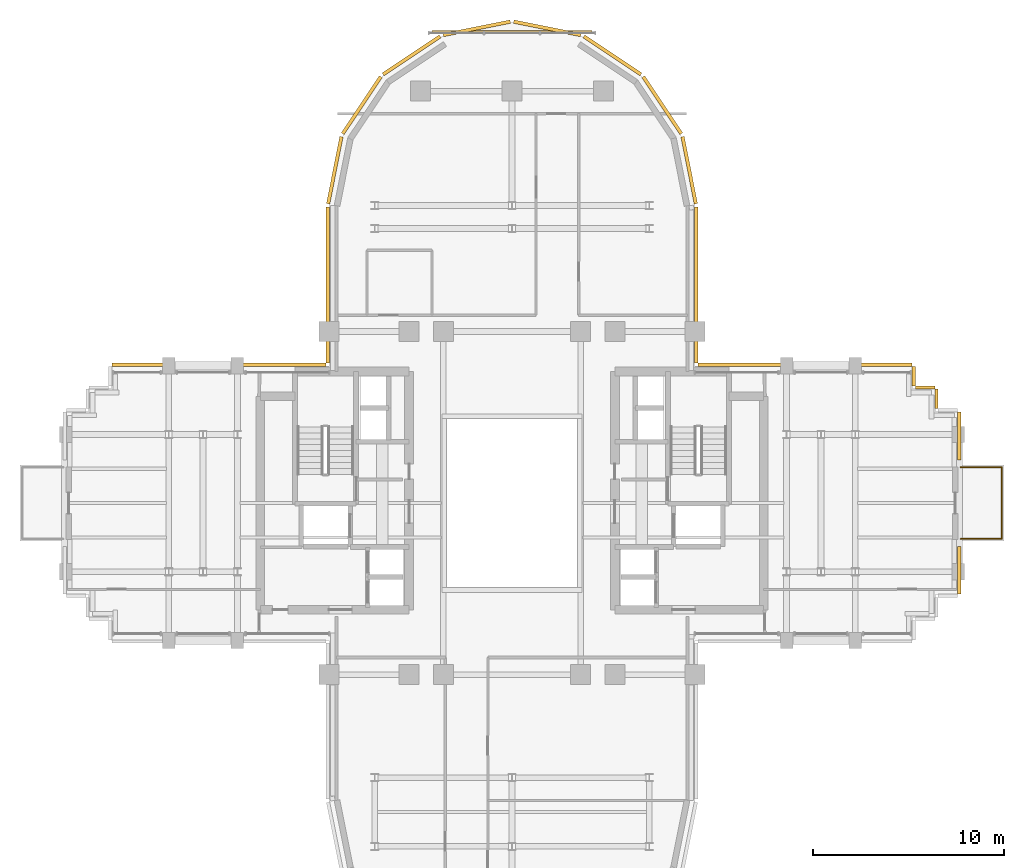
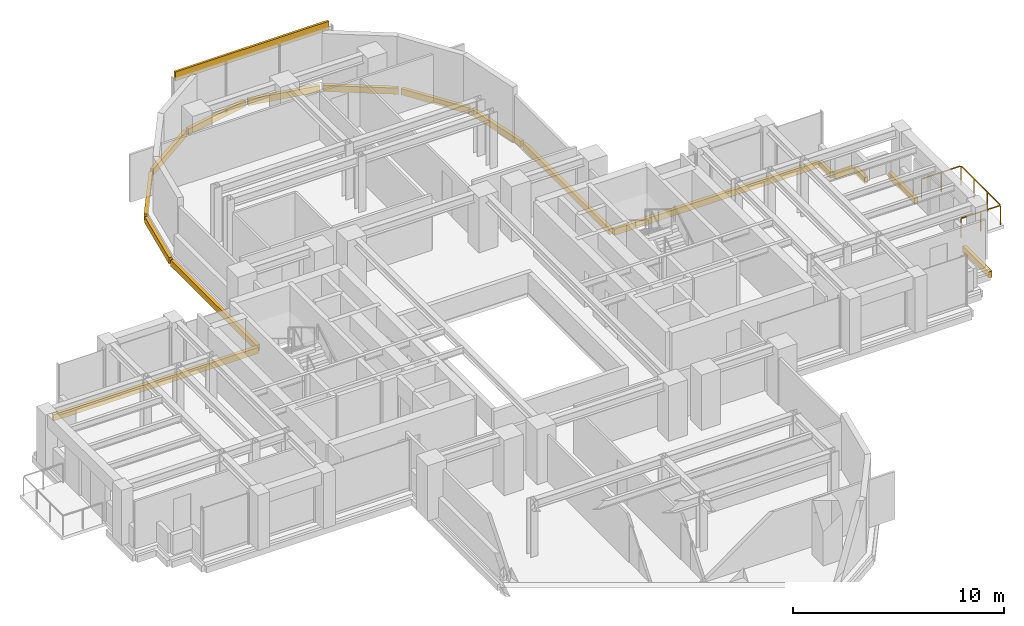
# One storey, part 13 of 13: 18 coverings, 1 railing.
"""IFC4 building model written with IfcOpenShell, lengths in metres."""

from ifc_helpers import new_model, si_unit, direction, frame, origin, origin_2d, place, context, subcontext, project, spatial, rectangle, extrude, source, transform, mapped, material, layer, layer_set, type_object, element, save


model = new_model("IFC4")

# Units and contexts
model_context = context("Model", 3, precision=1e-05, world=origin(), true_north=direction((0.0, 1.0)))
body_context = subcontext(model_context, "Body", "Model", "MODEL_VIEW")
ifc_project = project(units=[si_unit("LENGTHUNIT", "METRE"), si_unit("AREAUNIT", "SQUARE_METRE"), si_unit("VOLUMEUNIT", "CUBIC_METRE"), si_unit("PLANEANGLEUNIT", "RADIAN"), si_unit("MASSUNIT", "GRAM", prefix="KILO")], contexts=[model_context])

# Site, building, storey
site_placement = place(None, origin())
site = spatial("IfcSite", under=ifc_project, at=site_placement, CompositionType="ELEMENT")
building_placement = place(site_placement, origin())
building = spatial("IfcBuilding", under=site, at=building_placement, Name="Keilestroom Media Tower", CompositionType="ELEMENT")
storey_placement = place(building_placement, frame((0.0, 0.0, 104.0)))
storey = spatial("IfcBuildingStorey", under=building, at=storey_placement, Name="L27", CompositionType="ELEMENT", Elevation=104.0)

# Railing
ifc_material_1 = material(Name="Laminated Safety Glass & Stainless Steel", Category="steel")
railing_type = type_object("IfcRailingType", Name="Terrace-And-Atrium-Guard-Balustrade-GD-EXT", PredefinedType="BALUSTRADE", material=ifc_material_1)
railing_placement = place(storey_placement, frame((23.52001953125, -1.8798828125, 0.0)))
element("IfcRailing", 1, at=railing_placement, inside=storey, type_object=railing_type, Name="L27 Terrace Perimeter Guard L27-E", PredefinedType="BALUSTRADE", context=body_context, shape_type="SweptSolid", body=[
    extrude(rectangle(XDim=0.048095703125, YDim=0.048095703125, at=origin_2d()), frame((0.0, 0.0, 1.1259765625), z_axis=(1.0, 0.0, 0.0), x_axis=(0.0, 1.0, 0.0)), (0.0, 0.0, 1.0), 2.11181640625),
    extrude(rectangle(XDim=0.048095703125, YDim=0.048095703125, at=origin_2d()), frame((2.159912109375, 0.048095703125, 1.1259765625), z_axis=(0.0, 1.0, 0.0), x_axis=(-1.0, 0.0, 0.0)), (0.0, 0.0, 1.0), 3.66357421875),
    extrude(rectangle(XDim=0.048095703125, YDim=0.048095703125, at=origin_2d()), frame((2.11181640625, 3.759765625, 1.1259765625), z_axis=(-1.0, 0.0, 0.0), x_axis=(0.0, -1.0, 0.0)), (0.0, 0.0, 1.0), 2.11181640625),
    extrude(rectangle(XDim=0.0419921875, YDim=0.0419921875, at=origin_2d()), origin(), (0.0, 0.0, 1.0), 1.09375),
    extrude(rectangle(XDim=0.0419921875, YDim=0.0419921875, at=origin_2d()), frame((1.080078125, 0.0, 0.0)), (0.0, 0.0, 1.0), 1.09375),
    extrude(rectangle(XDim=0.0419921875, YDim=0.0419921875, at=origin_2d()), frame((2.159912109375, 0.0, 0.0)), (0.0, 0.0, 1.0), 1.09375),
    extrude(rectangle(XDim=0.0419921875, YDim=0.0419921875, at=origin_2d()), frame((2.159912109375, 1.253173828125, 0.0)), (0.0, 0.0, 1.0), 1.09375),
    extrude(rectangle(XDim=0.0419921875, YDim=0.0419921875, at=origin_2d()), frame((2.159912109375, 2.506591796875, 0.0)), (0.0, 0.0, 1.0), 1.09375),
    extrude(rectangle(XDim=0.0419921875, YDim=0.0419921875, at=origin_2d()), frame((2.159912109375, 3.759765625, 0.0)), (0.0, 0.0, 1.0), 1.09375),
    extrude(rectangle(XDim=0.0419921875, YDim=0.0419921875, at=origin_2d()), frame((1.080078125, 3.759765625, 0.0)), (0.0, 0.0, 1.0), 1.09375),
    extrude(rectangle(XDim=0.0419921875, YDim=0.0419921875, at=origin_2d()), frame((0.0, 3.759765625, 0.0)), (0.0, 0.0, 1.0), 1.09375),
])

# Coverings
ifc_material_2 = material(Name="Precast concrete C40/50", Category="concrete")
ifc_layer = layer(ifc_material_2, 0.1201171875)
ifc_layer_set = layer_set([ifc_layer], Name="Precast concrete C40/50")
covering_type = type_object("IfcCoveringType", Name="Exterior-Precast-Spandrel-Cladding-Panel-120", PredefinedType="CLADDING", material=ifc_layer_set)
shared_shape_1 = source(origin(), body_context, "Body", "SweptSolid", [
    extrude(rectangle(XDim=8.39990234375, YDim=0.1201171875, at=origin_2d()), origin(), (0.0, 0.0, 1.0), 0.52001953125),
])
covering_placement = place(storey_placement, frame((0.0, 24.719970703125, 2.68994140625), z_axis=(0.0, 0.0, 1.0), x_axis=(1.0, 0.0, 0.0)))
element("IfcCovering", 2, at=covering_placement, inside=storey, type_object=covering_type, Name="L27 Precast Spandrel Cladding N", PredefinedType="CLADDING", context=body_context, shape_type="MappedRepresentation", body=[
    mapped(shared_shape_1, transform((0.0, 0.0, 0.0), x_axis=(1.0, 0.0, 0.0), y_axis=(0.0, 1.0, 0.0), z_axis=(0.0, 0.0, 1.0), scale=1.0)),
])
shared_shape_2 = source(origin(), body_context, "Body", "SweptSolid", [
    extrude(rectangle(XDim=1.02001953125, YDim=0.179931640625, at=origin_2d()), origin(), (0.0, 0.0, 1.0), 0.360107421875),
])
for number, where, z_axis, x_axis, name in (
    (3, (21.06005859375, 6.659912109375, -0.5400390625), (0.0, 0.0, 1.0), (0.0, -1.0, 0.0), "L27 Precast Slab-Edge Fascia Cornice 39"),
    (4, (21.659912109375, 6.06005859375, -0.5400390625), (0.0, 0.0, 1.0), (1.0, 0.0, 0.0), "L27 Precast Slab-Edge Fascia Cornice 40"),
    (5, (22.260009765625, 5.4599609375, -0.5400390625), (0.0, 0.0, 1.0), (0.0, -1.0, 0.0), "L27 Precast Slab-Edge Fascia Cornice 41"),
):
    element("IfcCovering", number, at=place(storey_placement, frame(where, z_axis=z_axis, x_axis=x_axis)), inside=storey, type_object=covering_type, Name=name, PredefinedType="CLADDING", context=body_context, shape_type="MappedRepresentation", body=[
        mapped(shared_shape_2, transform((0.0, 0.0, 0.0), x_axis=(1.0, 0.0, 0.0), y_axis=(0.0, 1.0, 0.0), z_axis=(0.0, 0.0, 1.0), scale=1.0)),
    ])
shared_shape_3 = source(origin(), body_context, "Body", "SweptSolid", [
    extrude(rectangle(XDim=8.166015625, YDim=0.179931640625, at=origin_2d()), origin(), (0.0, 0.0, 1.0), 0.360107421875),
])
for number, where, z_axis, x_axis, name in (
    (6, (-9.659912109375, 11.43310546875, -0.5400390625), (0.0, 0.0, 1.0), (0.0, 1.0, 0.0), "L27 Precast Slab-Edge Fascia Cornice 28"),
    (7, (9.659912109375, 11.43310546875, -0.5400390625), (0.0, 0.0, 1.0), (0.0, -1.0, 0.0), "L27 Precast Slab-Edge Fascia Cornice 37"),
):
    element("IfcCovering", number, at=place(storey_placement, frame(where, z_axis=z_axis, x_axis=x_axis)), inside=storey, type_object=covering_type, Name=name, PredefinedType="CLADDING", context=body_context, shape_type="MappedRepresentation", body=[
        mapped(shared_shape_3, transform((0.0, 0.0, 0.0), x_axis=(1.0, 0.0, 0.0), y_axis=(0.0, 1.0, 0.0), z_axis=(0.0, 0.0, 1.0), scale=1.0)),
    ])
shared_shape_4 = source(origin(), body_context, "Body", "SweptSolid", [
    extrude(rectangle(XDim=3.58349609375, YDim=0.179931640625, at=origin_2d()), origin(), (0.0, 0.0, 1.0), 0.360107421875),
])
for number, where, z_axis, x_axis, name in (
    (8, (-9.29296875, 17.45166015625, -0.5400390625), (0.0, 0.0, 1.0), (0.195098880975, 0.980783577882, 0.0), "L27 Precast Slab-Edge Fascia Cornice 29"),
    (9, (9.29296875, 17.45166015625, -0.5400390625), (0.0, 0.0, 1.0), (0.195098880975, -0.980783577882, 0.0), "L27 Precast Slab-Edge Fascia Cornice 36"),
):
    element("IfcCovering", number, at=place(storey_placement, frame(where, z_axis=z_axis, x_axis=x_axis)), inside=storey, type_object=covering_type, Name=name, PredefinedType="CLADDING", context=body_context, shape_type="MappedRepresentation", body=[
        mapped(shared_shape_4, transform((0.0, 0.0, 0.0), x_axis=(1.0, 0.0, 0.0), y_axis=(0.0, 1.0, 0.0), z_axis=(0.0, 0.0, 1.0), scale=1.0)),
    ])
shared_shape_5 = source(origin(), body_context, "Body", "SweptSolid", [
    extrude(rectangle(XDim=3.589599609375, YDim=0.179931640625, at=origin_2d()), origin(), (0.0, 0.0, 1.0), 0.360107421875),
])
for number, where, z_axis, x_axis, name in (
    (10, (-7.878662109375, 20.8642578125, -0.5400390625), (0.0, 0.0, 1.0), (0.555574586577, 0.831466703332, 0.0), "L27 Precast Slab-Edge Fascia Cornice 30"),
    (11, (-5.264404296875, 23.478515625, -0.5400390625), (0.0, 0.0, 1.0), (0.831466703332, 0.555574586577, 0.0), "L27 Precast Slab-Edge Fascia Cornice 31"),
    (12, (-1.8486328125, 24.893310546875, -0.5400390625), (0.0, 0.0, 1.0), (0.980783577882, 0.195098880975, 0.0), "L27 Precast Slab-Edge Fascia Cornice 32"),
    (13, (1.8486328125, 24.893310546875, -0.5400390625), (0.0, 0.0, 1.0), (0.980783577882, -0.195098880975, 0.0), "L27 Precast Slab-Edge Fascia Cornice 33"),
    (14, (5.264404296875, 23.478515625, -0.5400390625), (0.0, 0.0, 1.0), (0.831466703332, -0.555574586577, 0.0), "L27 Precast Slab-Edge Fascia Cornice 34"),
    (15, (7.878662109375, 20.8642578125, -0.5400390625), (0.0, 0.0, 1.0), (0.555574586577, -0.831466703332, 0.0), "L27 Precast Slab-Edge Fascia Cornice 35"),
):
    element("IfcCovering", number, at=place(storey_placement, frame(where, z_axis=z_axis, x_axis=x_axis)), inside=storey, type_object=covering_type, Name=name, PredefinedType="CLADDING", context=body_context, shape_type="MappedRepresentation", body=[
        mapped(shared_shape_5, transform((0.0, 0.0, 0.0), x_axis=(1.0, 0.0, 0.0), y_axis=(0.0, 1.0, 0.0), z_axis=(0.0, 0.0, 1.0), scale=1.0)),
    ])
shared_shape_6 = source(origin(), body_context, "Body", "SweptSolid", [
    extrude(rectangle(XDim=2.5, YDim=0.179931640625, at=origin_2d()), origin(), (0.0, 0.0, 1.0), 0.360107421875),
])
for number, where, z_axis, x_axis, name in (
    (16, (23.4599609375, 3.52001953125, -0.5400390625), (0.0, 0.0, 1.0), (0.0, -1.0, 0.0), "L27 Precast Slab-Edge Fascia Cornice 43"),
    (17, (23.4599609375, -3.52001953125, -0.5400390625), (0.0, 0.0, 1.0), (0.0, -1.0, 0.0), "L27 Precast Slab-Edge Fascia Cornice 44"),
):
    element("IfcCovering", number, at=place(storey_placement, frame(where, z_axis=z_axis, x_axis=x_axis)), inside=storey, type_object=covering_type, Name=name, PredefinedType="CLADDING", context=body_context, shape_type="MappedRepresentation", body=[
        mapped(shared_shape_6, transform((0.0, 0.0, 0.0), x_axis=(1.0, 0.0, 0.0), y_axis=(0.0, 1.0, 0.0), z_axis=(0.0, 0.0, 1.0), scale=1.0)),
    ])
shared_shape_7 = source(origin(), body_context, "Body", "SweptSolid", [
    extrude(rectangle(XDim=11.219970703125, YDim=0.179931640625, at=origin_2d()), origin(), (0.0, 0.0, 1.0), 0.360107421875),
])
for number, where, z_axis, x_axis, name in (
    (18, (-15.360107421875, 7.260009765625, -0.5400390625), (0.0, 0.0, 1.0), (1.0, 0.0, 0.0), "L27 Precast Slab-Edge Fascia Cornice 27"),
    (19, (15.360107421875, 7.260009765625, -0.5400390625), (0.0, 0.0, 1.0), (1.0, 0.0, 0.0), "L27 Precast Slab-Edge Fascia Cornice 38"),
):
    element("IfcCovering", number, at=place(storey_placement, frame(where, z_axis=z_axis, x_axis=x_axis)), inside=storey, type_object=covering_type, Name=name, PredefinedType="CLADDING", context=body_context, shape_type="MappedRepresentation", body=[
        mapped(shared_shape_7, transform((0.0, 0.0, 0.0), x_axis=(1.0, 0.0, 0.0), y_axis=(0.0, 1.0, 0.0), z_axis=(0.0, 0.0, 1.0), scale=1.0)),
    ])

save(model, "model.ifc")
